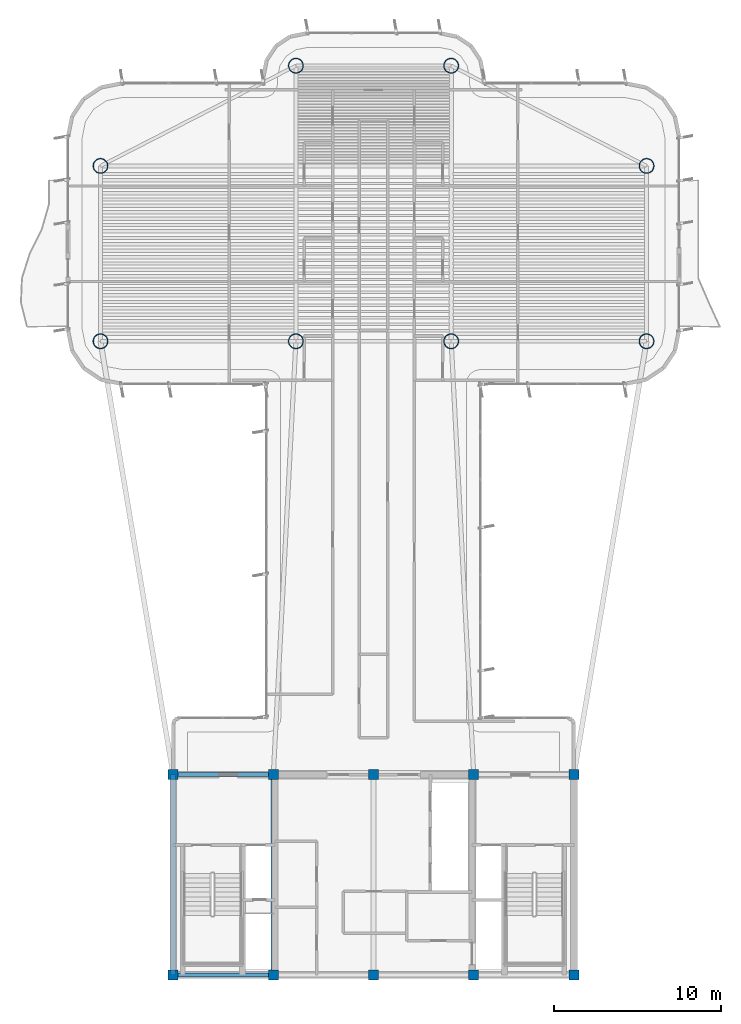
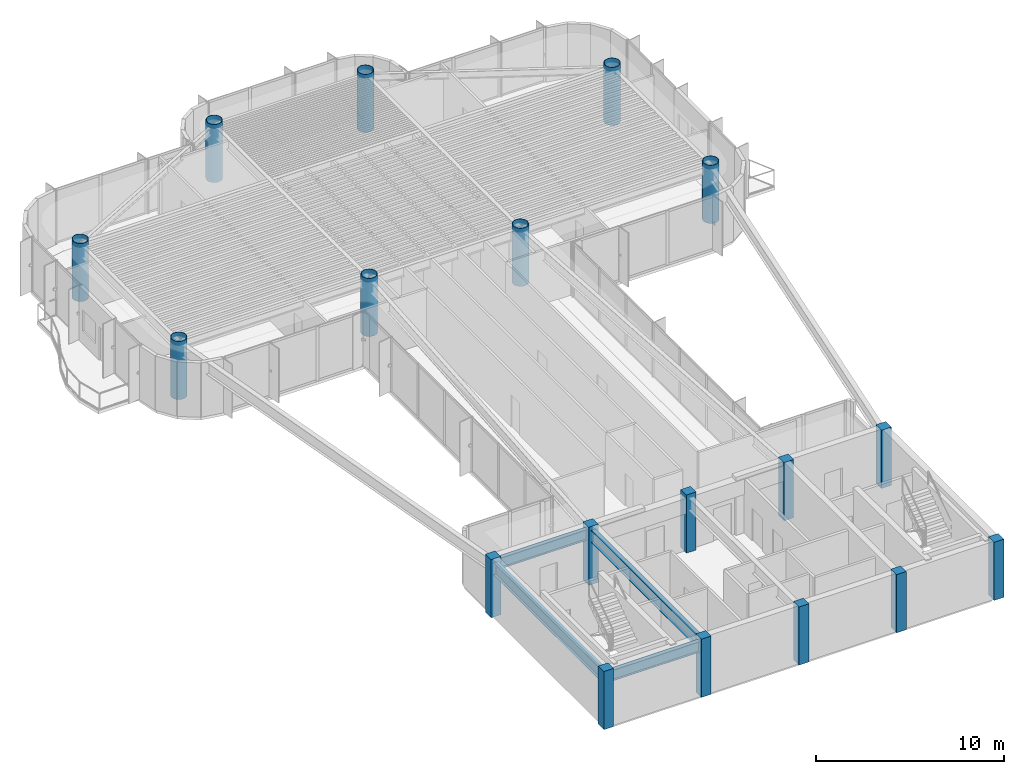
# One storey, part 1 of 16: 18 columns, 4 beams.
"""IFC4 building model written with IfcOpenShell, lengths in metres."""

from ifc_helpers import new_model, si_unit, direction, frame, origin, origin_2d, place, context, subcontext, project, spatial, rectangle, hollow_circle, i_section, extrude, source, transform, mapped, material, material_profile, profile_set, type_object, element, save


model = new_model("IFC4")

# Units and contexts
model_context = context("Model", 3, precision=1e-05, world=origin(), true_north=direction((0.0, 1.0)))
body_context = subcontext(model_context, "Body", "Model", "MODEL_VIEW")
ifc_project = project(units=[si_unit("LENGTHUNIT", "METRE"), si_unit("AREAUNIT", "SQUARE_METRE"), si_unit("VOLUMEUNIT", "CUBIC_METRE"), si_unit("PLANEANGLEUNIT", "RADIAN"), si_unit("MASSUNIT", "GRAM", prefix="KILO")], contexts=[model_context])

# Site, building, storey
site_placement = place(None, origin())
site = spatial("IfcSite", under=ifc_project, at=site_placement, CompositionType="ELEMENT")
building_placement = place(site_placement, origin())
building = spatial("IfcBuilding", under=site, at=building_placement, Name="Brelvock Crest Care Tower", CompositionType="ELEMENT")
storey_placement = place(building_placement, frame((0.0, 0.0, 234.360107421875)))
storey = spatial("IfcBuildingStorey", under=building, at=storey_placement, Name="L59", CompositionType="ELEMENT", Elevation=234.360107421875)

# Columns
ifc_material_1 = material(Name="Concrete S65 (65 MPa)", Category="concrete")
ifc_material_profile_1 = material_profile(ifc_material_1, rectangle(XDim=0.60009765625, YDim=0.60009765625, at=origin_2d()), Name="RC600x600")
ifc_profile_set_1 = profile_set([ifc_material_profile_1], Name="Concrete S65 (65 MPa)")
column_type_1 = type_object("IfcColumnType", Name="COL-RC4", PredefinedType="COLUMN", material=ifc_profile_set_1)
shared_shape_1 = source(origin(), body_context, "Body", "SweptSolid", [
    extrude(rectangle(XDim=0.60009765625, YDim=0.60009765625, at=origin_2d()), origin(), (0.0, 0.0, 1.0), 3.77978515625),
])
for number, where, z_axis, x_axis, name in (
    (1, (24.0, 6.0, 0.0), (0.0, 0.0, 1.0), (1.0, 0.0, 0.0), "L59 Core Column CC-01"),
    (2, (30.0, 6.0, 0.0), (0.0, 0.0, 1.0), (1.0, 0.0, 0.0), "L59 Core Column CC-02"),
    (3, (36.0, 6.0, 0.0), (0.0, 0.0, 1.0), (1.0, 0.0, 0.0), "L59 Core Column CC-03"),
    (4, (42.0, 6.0, 0.0), (0.0, 0.0, 1.0), (1.0, 0.0, 0.0), "L59 Core Column CC-04"),
    (5, (48.0, 6.0, 0.0), (0.0, 0.0, 1.0), (1.0, 0.0, 0.0), "L59 Core Column CC-05"),
    (6, (24.0, 18.0, 0.0), (0.0, 0.0, 1.0), (1.0, 0.0, 0.0), "L59 Core Column CC-06"),
    (7, (30.0, 18.0, 0.0), (0.0, 0.0, 1.0), (1.0, 0.0, 0.0), "L59 Core Column CC-07"),
    (8, (36.0, 18.0, 0.0), (0.0, 0.0, 1.0), (1.0, 0.0, 0.0), "L59 Core Column CC-08"),
    (9, (42.0, 18.0, 0.0), (0.0, 0.0, 1.0), (1.0, 0.0, 0.0), "L59 Core Column CC-09"),
    (10, (48.0, 18.0, 0.0), (0.0, 0.0, 1.0), (1.0, 0.0, 0.0), "L59 Core Column CC-10"),
):
    element("IfcColumn", number, at=place(storey_placement, frame(where, z_axis=z_axis, x_axis=x_axis)), inside=storey, type_object=column_type_1, Name=name, PredefinedType="COLUMN", context=body_context, shape_type="MappedRepresentation", body=[
        mapped(shared_shape_1, transform((0.0, 0.0, 0.0), x_axis=(1.0, 0.0, 0.0), y_axis=(0.0, 1.0, 0.0), z_axis=(0.0, 0.0, 1.0), scale=1.0)),
    ])
ifc_material_2 = material(Name="Steel Grade 350", Category="steel")
ifc_material_profile_2 = material_profile(ifc_material_2, hollow_circle(Radius=0.449951171875, WallThickness=0.031982421875, at=origin_2d()), Name="CFT900x32")
ifc_profile_set_2 = profile_set([ifc_material_profile_2], Name="Steel Grade 350")
column_type_2 = type_object("IfcColumnType", Name="COL-MC4", PredefinedType="COLUMN", material=ifc_profile_set_2)
shared_shape_2 = source(origin(), body_context, "Body", "SweptSolid", [
    extrude(hollow_circle(Radius=0.449951171875, WallThickness=0.031982421875, at=origin_2d()), origin(), (0.0, 0.0, 1.0), 3.77978515625),
])
for number, where, z_axis, x_axis, name in (
    (11, (19.64990234375, 43.949951171875, 0.0), (0.0, 0.0, 1.0), (1.0, 0.0, 0.0), "L59 Tower Column M1"),
    (12, (19.64990234375, 54.449951171875, 0.0), (0.0, 0.0, 1.0), (1.0, 0.0, 0.0), "L59 Tower Column M2"),
    (13, (52.35009765625, 43.949951171875, 0.0), (0.0, 0.0, 1.0), (1.0, 0.0, 0.0), "L59 Tower Column M3"),
    (14, (52.35009765625, 54.449951171875, 0.0), (0.0, 0.0, 1.0), (1.0, 0.0, 0.0), "L59 Tower Column M4"),
    (15, (31.35009765625, 43.949951171875, 0.0), (0.0, 0.0, 1.0), (1.0, 0.0, 0.0), "L59 Tower Column M5"),
    (16, (40.64990234375, 43.949951171875, 0.0), (0.0, 0.0, 1.0), (1.0, 0.0, 0.0), "L59 Tower Column M6"),
    (17, (31.35009765625, 60.449951171875, 0.0), (0.0, 0.0, 1.0), (1.0, 0.0, 0.0), "L59 Tower Column M7"),
    (18, (40.64990234375, 60.449951171875, 0.0), (0.0, 0.0, 1.0), (1.0, 0.0, 0.0), "L59 Tower Column M8"),
):
    element("IfcColumn", number, at=place(storey_placement, frame(where, z_axis=z_axis, x_axis=x_axis)), inside=storey, type_object=column_type_2, Name=name, PredefinedType="COLUMN", context=body_context, shape_type="MappedRepresentation", body=[
        mapped(shared_shape_2, transform((0.0, 0.0, 0.0), x_axis=(1.0, 0.0, 0.0), y_axis=(0.0, 1.0, 0.0), z_axis=(0.0, 0.0, 1.0), scale=1.0)),
    ])

# Beams
ifc_material_profile_3 = material_profile(ifc_material_2, i_section(OverallWidth=0.25, OverallDepth=0.699951171875, WebThickness=0.011962890625, FlangeThickness=0.02001953125, at=origin_2d()), Name="700WB150")
ifc_profile_set_3 = profile_set([ifc_material_profile_3], Name="Steel Grade 350")
beam_type_1 = type_object("IfcBeamType", Name="BM-G4", PredefinedType="BEAM", material=ifc_profile_set_3)
shared_shape_3 = source(origin(), body_context, "Body", "SweptSolid", [
    extrude(i_section(OverallWidth=0.25, OverallDepth=0.699951171875, WebThickness=0.011962890625, FlangeThickness=0.02001953125, at=origin_2d()), origin(), (0.0, 0.0, 1.0), 6.0),
])
for number, where, z_axis, x_axis, name in (
    (19, (24.0, 6.0, 3.179931640625), (1.0, 0.0, 0.0), (0.0, 1.0, 0.0), "BM-CORES-L59-1"),
    (20, (24.0, 18.0, 3.179931640625), (1.0, 0.0, 0.0), (0.0, 1.0, 0.0), "BM-COREN-L59-1"),
):
    element("IfcBeam", number, at=place(storey_placement, frame(where, z_axis=z_axis, x_axis=x_axis)), inside=storey, type_object=beam_type_1, Name=name, PredefinedType="BEAM", context=body_context, shape_type="MappedRepresentation", body=[
        mapped(shared_shape_3, transform((0.0, 0.0, 0.0), x_axis=(1.0, 0.0, 0.0), y_axis=(0.0, 1.0, 0.0), z_axis=(0.0, 0.0, 1.0), scale=1.0)),
    ])
ifc_material_profile_4 = material_profile(ifc_material_2, i_section(OverallWidth=0.300048828125, OverallDepth=0.800048828125, WebThickness=0.013916015625, FlangeThickness=0.02197265625, at=origin_2d()), Name="800WB192")
ifc_profile_set_4 = profile_set([ifc_material_profile_4], Name="Steel Grade 350")
beam_type_2 = type_object("IfcBeamType", Name="BM-G5", PredefinedType="BEAM", material=ifc_profile_set_4)
shared_shape_4 = source(origin(), body_context, "Body", "SweptSolid", [
    extrude(i_section(OverallWidth=0.300048828125, OverallDepth=0.800048828125, WebThickness=0.013916015625, FlangeThickness=0.02197265625, at=origin_2d()), origin(), (0.0, 0.0, 1.0), 12.0),
])
for number, where, z_axis, x_axis, name in (
    (21, (24.0, 6.0, 3.1298828125), (0.0, 1.0, 0.0), (-1.0, 0.0, 0.0), "BM-COREX-L59-1"),
    (22, (30.0, 6.0, 3.1298828125), (0.0, 1.0, 0.0), (-1.0, 0.0, 0.0), "BM-COREX-L59-2"),
):
    element("IfcBeam", number, at=place(storey_placement, frame(where, z_axis=z_axis, x_axis=x_axis)), inside=storey, type_object=beam_type_2, Name=name, PredefinedType="BEAM", context=body_context, shape_type="MappedRepresentation", body=[
        mapped(shared_shape_4, transform((0.0, 0.0, 0.0), x_axis=(1.0, 0.0, 0.0), y_axis=(0.0, 1.0, 0.0), z_axis=(0.0, 0.0, 1.0), scale=1.0)),
    ])

save(model, "model.ifc")
